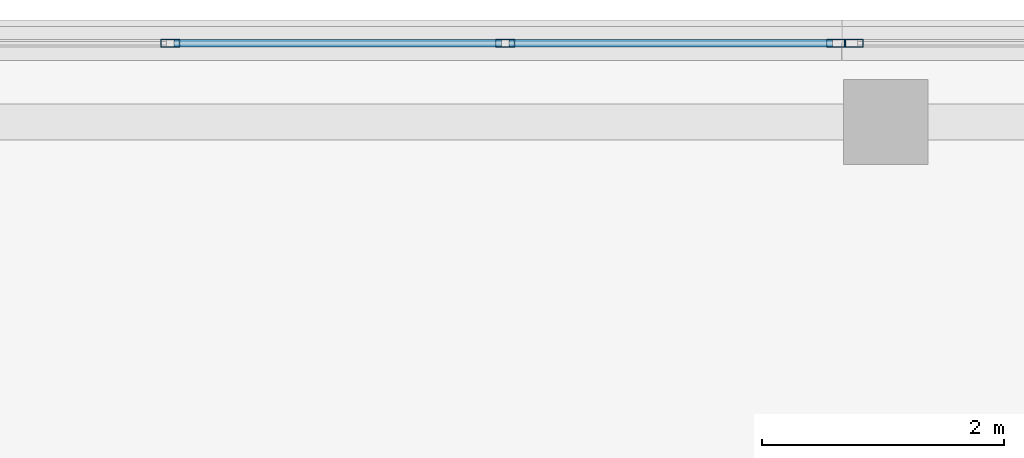
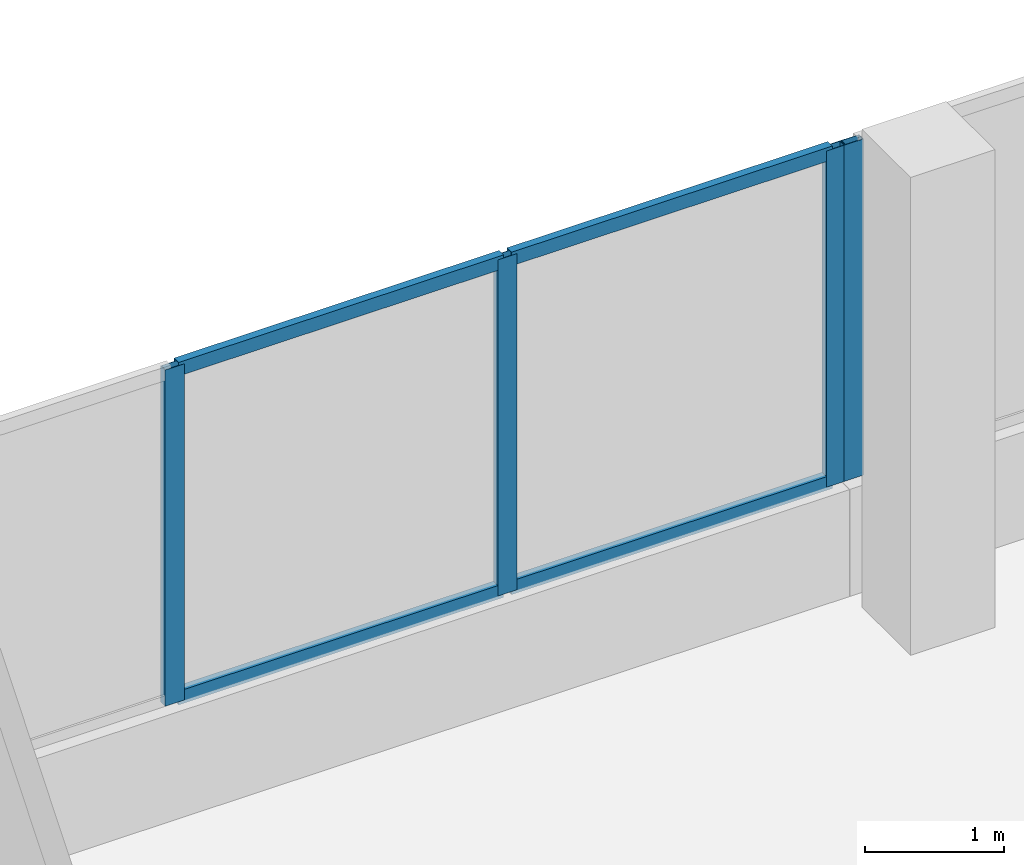
# One storey, part 139 of 184: 8 members, 2 elements without a shape of their own.
"""IFC4 building model written with IfcOpenShell, lengths in metres."""

from ifc_helpers import new_model, si_unit, direction, frame, origin, origin_2d, place, context, subcontext, project, spatial, hollow_rectangle, extrude, material, material_profile, profile_set, type_object, element, aggregate, save


model = new_model("IFC4")

# Units and contexts
model_context = context("Model", 3, precision=1e-05, world=origin(), true_north=direction((0.0, 1.0)))
body_context = subcontext(model_context, "Body", "Model", "MODEL_VIEW")
ifc_project = project(units=[si_unit("LENGTHUNIT", "METRE"), si_unit("AREAUNIT", "SQUARE_METRE"), si_unit("VOLUMEUNIT", "CUBIC_METRE"), si_unit("PLANEANGLEUNIT", "RADIAN"), si_unit("MASSUNIT", "GRAM", prefix="KILO")], contexts=[model_context])

# Site, building, storey
site_placement = place(None, origin())
site = spatial("IfcSite", under=ifc_project, at=site_placement, CompositionType="ELEMENT")
building_placement = place(site_placement, origin())
building = spatial("IfcBuilding", under=site, at=building_placement, Name="Selatvlak General Hospital", CompositionType="ELEMENT")
storey_placement = place(building_placement, frame((0.0, 0.0, 15.0)))
storey = spatial("IfcBuildingStorey", under=building, at=storey_placement, Name="L03", CompositionType="ELEMENT", Elevation=15.0)

# Curtain wall, members
ifc_material_1 = material(Name="Solar-control Low-E double glazing", Category="glass")
curtain_wall_type_1 = type_object("IfcCurtainWallType", Name="CW-CW-02", PredefinedType="USERDEFINED", material=ifc_material_1)
curtain_wall_1_placement = place(storey_placement, origin())
curtain_wall_1 = element("IfcCurtainWall", 1, at=curtain_wall_1_placement, inside=storey, type_object=curtain_wall_type_1, Name="Glazed facade curtain wall CW-L03-0381", ObjectType="UNITISED CURTAIN WALL", PredefinedType="USERDEFINED")
ifc_material_2 = material(Name="Dark anodised aluminium mullion", Category="aluminium")
ifc_material_profile_1 = material_profile(ifc_material_2, hollow_rectangle(XDim=0.06494140625, YDim=0.159912109375, WallThickness=0.00390625, at=origin_2d()), Name="AL-MUL 65x160x4")
ifc_profile_set_1 = profile_set([ifc_material_profile_1], Name="Dark anodised aluminium mullion")
member_type_1 = type_object("IfcMemberType", Name="CWM-01", PredefinedType="MULLION", material=ifc_profile_set_1)
member_1_placement = place(storey_placement, frame((159.690673828125, 120.0, 0.93994140625), z_axis=(0.0, 0.0, 1.0), x_axis=(0.0, 1.0, 0.0)))
member_1 = element("IfcMember", 2, at=member_1_placement, type_object=member_type_1, Name="CW-02 mullion 2", PredefinedType="MULLION", context=body_context, shape_type="SweptSolid", body=[
    extrude(hollow_rectangle(XDim=0.06494140625, YDim=0.159912109375, WallThickness=0.00390625, at=origin_2d()), origin(), (0.0, 0.0, 1.0), 2.955078125),
])
member_2_placement = place(storey_placement, frame((162.457275390625, 120.0, 0.93994140625), z_axis=(0.0, 0.0, 1.0), x_axis=(0.0, 1.0, 0.0)))
member_2 = element("IfcMember", 3, at=member_2_placement, type_object=member_type_1, Name="CW-02 mullion 3", PredefinedType="MULLION", context=body_context, shape_type="SweptSolid", body=[
    extrude(hollow_rectangle(XDim=0.06494140625, YDim=0.159912109375, WallThickness=0.00390625, at=origin_2d()), origin(), (0.0, 0.0, 1.0), 2.955078125),
])
member_3_placement = place(storey_placement, frame((165.19140625, 120.0, 0.93994140625), z_axis=(0.0, 0.0, 1.0), x_axis=(0.0, 1.0, 0.0)))
member_3 = element("IfcMember", 4, at=member_3_placement, type_object=member_type_1, Name="CW-02 mullion 4", PredefinedType="MULLION", context=body_context, shape_type="SweptSolid", body=[
    extrude(hollow_rectangle(XDim=0.06494140625, YDim=0.159912109375, WallThickness=0.00390625, at=origin_2d()), origin(), (0.0, 0.0, 1.0), 2.955078125),
])

# Curtain wall, member
curtain_wall_type_2 = type_object("IfcCurtainWallType", Name="CW-CW-01", PredefinedType="USERDEFINED", material=ifc_material_1)
curtain_wall_2_placement = place(storey_placement, origin())
curtain_wall_2 = element("IfcCurtainWall", 5, at=curtain_wall_2_placement, inside=storey, type_object=curtain_wall_type_2, Name="Glazed facade curtain wall CW-L03-0382", ObjectType="UNITISED CURTAIN WALL", PredefinedType="USERDEFINED")
member_4_placement = place(storey_placement, frame((165.33642578125, 120.0, 0.93994140625), z_axis=(0.0, 0.0, 1.0), x_axis=(0.0, 1.0, 0.0)))
member_4 = element("IfcMember", 6, at=member_4_placement, type_object=member_type_1, Name="CW-01 mullion 1", PredefinedType="MULLION", context=body_context, shape_type="SweptSolid", body=[
    extrude(hollow_rectangle(XDim=0.06494140625, YDim=0.159912109375, WallThickness=0.00390625, at=origin_2d()), origin(), (0.0, 0.0, 1.0), 2.955078125),
])
aggregate(curtain_wall_2, [member_4])

# Member
ifc_material_profile_2 = material_profile(ifc_material_2, hollow_rectangle(XDim=0.06494140625, YDim=0.1201171875, WallThickness=0.00390625, at=origin_2d()), Name="AL-TRN 65x120x4")
ifc_profile_set_2 = profile_set([ifc_material_profile_2], Name="Dark anodised aluminium mullion")
member_type_2 = type_object("IfcMemberType", Name="CWT-01", PredefinedType="USERDEFINED", material=ifc_profile_set_2)
member_5_placement = place(storey_placement, frame((159.72314453125, 120.0, 0.972412109375), z_axis=(1.0, 0.0, 0.0), x_axis=(0.0, 1.0, 0.0)))
member_5 = element("IfcMember", 7, at=member_5_placement, type_object=member_type_2, Name="CW-02 transom 2.1", ObjectType="TRANSOM", PredefinedType="USERDEFINED", context=body_context, shape_type="SweptSolid", body=[
    extrude(hollow_rectangle(XDim=0.06494140625, YDim=0.1201171875, WallThickness=0.00390625, at=origin_2d()), origin(), (0.0, 0.0, 1.0), 2.70166015625),
])

member_6_placement = place(storey_placement, frame((159.72314453125, 120.0, 3.862548828125), z_axis=(1.0, 0.0, 0.0), x_axis=(0.0, 1.0, 0.0)))
member_6 = element("IfcMember", 8, at=member_6_placement, type_object=member_type_2, Name="CW-02 transom 2.2", ObjectType="TRANSOM", PredefinedType="USERDEFINED", context=body_context, shape_type="SweptSolid", body=[
    extrude(hollow_rectangle(XDim=0.06494140625, YDim=0.1201171875, WallThickness=0.00390625, at=origin_2d()), origin(), (0.0, 0.0, 1.0), 2.70166015625),
])

member_7_placement = place(storey_placement, frame((162.48974609375, 120.0, 0.972412109375), z_axis=(1.0, 0.0, 0.0), x_axis=(0.0, 1.0, 0.0)))
member_7 = element("IfcMember", 9, at=member_7_placement, type_object=member_type_2, Name="CW-02 transom 3.1", ObjectType="TRANSOM", PredefinedType="USERDEFINED", context=body_context, shape_type="SweptSolid", body=[
    extrude(hollow_rectangle(XDim=0.06494140625, YDim=0.1201171875, WallThickness=0.00390625, at=origin_2d()), origin(), (0.0, 0.0, 1.0), 2.669189453125),
])

member_8_placement = place(storey_placement, frame((162.48974609375, 120.0, 3.862548828125), z_axis=(1.0, 0.0, 0.0), x_axis=(0.0, 1.0, 0.0)))
member_8 = element("IfcMember", 10, at=member_8_placement, type_object=member_type_2, Name="CW-02 transom 3.2", ObjectType="TRANSOM", PredefinedType="USERDEFINED", context=body_context, shape_type="SweptSolid", body=[
    extrude(hollow_rectangle(XDim=0.06494140625, YDim=0.1201171875, WallThickness=0.00390625, at=origin_2d()), origin(), (0.0, 0.0, 1.0), 2.669189453125),
])

aggregate(curtain_wall_1, [member_1, member_2, member_3, member_5, member_6, member_7, member_8])

save(model, "model.ifc")
